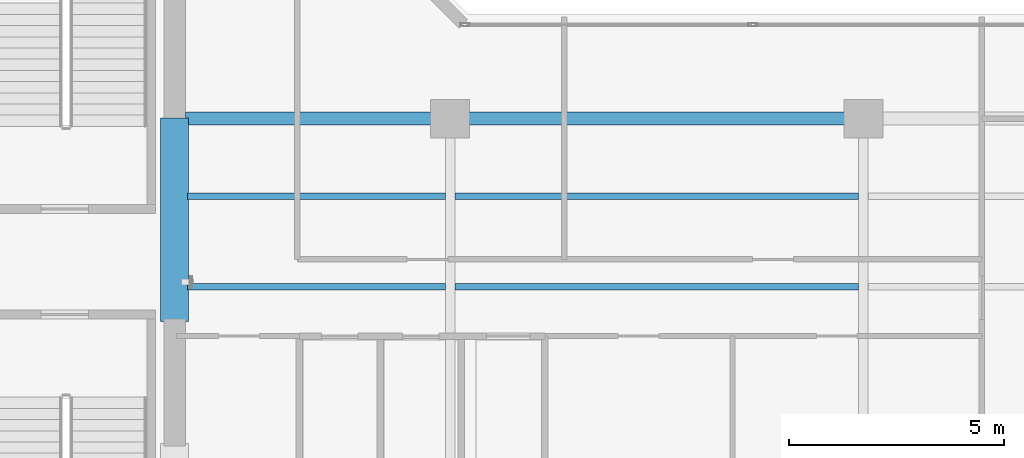
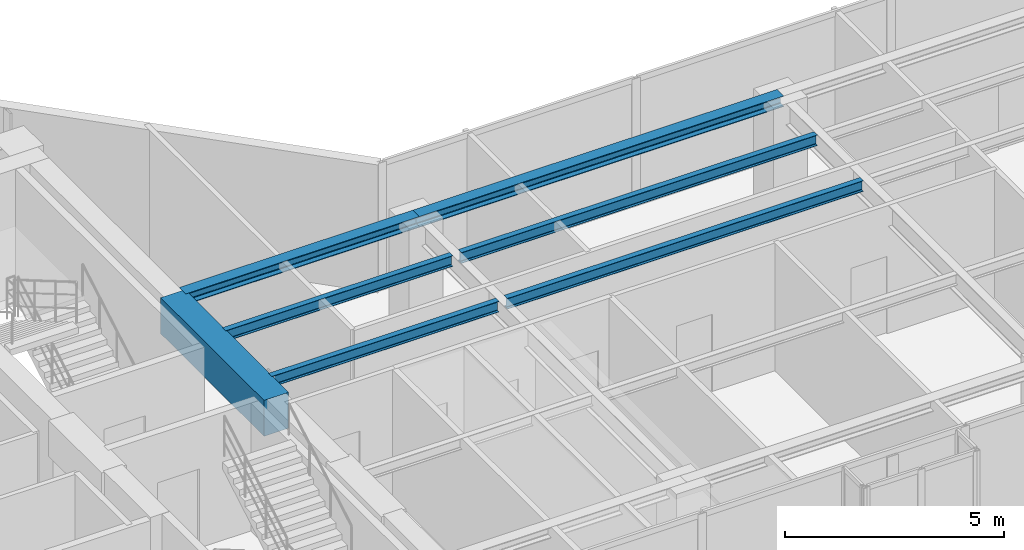
# One storey, part 6 of 22: 7 beams.
"""IFC4 building model written with IfcOpenShell, lengths in metres."""

from ifc_helpers import new_model, si_unit, direction, frame, origin, origin_2d, place, context, subcontext, project, spatial, rectangle, i_section, extrude, material, material_profile, profile_set, type_object, element, save


model = new_model("IFC4")

# Units and contexts
model_context = context("Model", 3, precision=1e-05, world=origin(), true_north=direction((0.0, 1.0)))
body_context = subcontext(model_context, "Body", "Model", "MODEL_VIEW")
ifc_project = project(units=[si_unit("LENGTHUNIT", "METRE"), si_unit("AREAUNIT", "SQUARE_METRE"), si_unit("VOLUMEUNIT", "CUBIC_METRE"), si_unit("PLANEANGLEUNIT", "RADIAN"), si_unit("MASSUNIT", "GRAM", prefix="KILO")], contexts=[model_context])

# Site, building, storey
site_placement = place(None, origin())
site = spatial("IfcSite", under=ifc_project, at=site_placement, CompositionType="ELEMENT")
building_placement = place(site_placement, origin())
building = spatial("IfcBuilding", under=site, at=building_placement, Name="Kolvaren Waterfront Exchange", CompositionType="ELEMENT")
storey_placement = place(building_placement, frame((0.0, 0.0, 327.39990234375)))
storey = spatial("IfcBuildingStorey", under=building, at=storey_placement, Name="L84", CompositionType="ELEMENT", Elevation=327.39990234375)

# Beams
ifc_material_1 = material(Name="Steel S355", Category="steel")
ifc_material_profile_1 = material_profile(ifc_material_1, i_section(OverallWidth=0.300048828125, OverallDepth=0.300048828125, WebThickness=0.010986328125, FlangeThickness=0.01904296875, FilletRadius=0.027099609375, at=origin_2d()), Name="HEB300")
ifc_profile_set_1 = profile_set([ifc_material_profile_1], Name="Steel S355")
beam_type_1 = type_object("IfcBeamType", Name="STR-BM-HEB300", PredefinedType="SPANDREL", material=ifc_profile_set_1)
beam_1_placement = place(storey_placement, frame((21.050048828125, 17.39990234375, 3.41015625), z_axis=(1.0, 0.0, 0.0), x_axis=(0.0, 1.0, 0.0)))
element("IfcBeam", 1, at=beam_1_placement, inside=storey, type_object=beam_type_1, Name="L84 east-arm spandrel N1", PredefinedType="SPANDREL", context=body_context, shape_type="SweptSolid", body=[
    extrude(i_section(OverallWidth=0.300048828125, OverallDepth=0.300048828125, WebThickness=0.010986328125, FlangeThickness=0.01904296875, FilletRadius=0.027099609375, at=origin_2d()), origin(), (0.0, 0.0, 1.0), 6.14990234375),
])
beam_2_placement = place(storey_placement, frame((27.199951171875, 17.39990234375, 3.41015625), z_axis=(1.0, 0.0, 0.0), x_axis=(0.0, 1.0, 0.0)))
element("IfcBeam", 2, at=beam_2_placement, inside=storey, type_object=beam_type_1, Name="L84 east-arm spandrel N2", PredefinedType="SPANDREL", context=body_context, shape_type="SweptSolid", body=[
    extrude(i_section(OverallWidth=0.300048828125, OverallDepth=0.300048828125, WebThickness=0.010986328125, FlangeThickness=0.01904296875, FilletRadius=0.027099609375, at=origin_2d()), origin(), (0.0, 0.0, 1.0), 9.60009765625),
])
ifc_material_profile_2 = material_profile(ifc_material_1, i_section(OverallWidth=0.14990234375, OverallDepth=0.300048828125, WebThickness=0.007080078125, FlangeThickness=0.0107421875, FilletRadius=0.014892578125, at=origin_2d()), Name="IPE300")
ifc_profile_set_2 = profile_set([ifc_material_profile_2], Name="Steel S355")
beam_type_2 = type_object("IfcBeamType", Name="STR-BM-IPE300", PredefinedType="JOIST", material=ifc_profile_set_2)
for number, where, z_axis, x_axis, name in (
    (3, (21.10009765625, 13.5, 3.41015625), (1.0, 0.0, 0.0), (0.0, 1.0, 0.0), "L84 east-arm composite joist 1A"),
    (4, (21.10009765625, 15.60009765625, 3.41015625), (1.0, 0.0, 0.0), (0.0, 1.0, 0.0), "L84 east-arm composite joist 1C"),
):
    element("IfcBeam", number, at=place(storey_placement, frame(where, z_axis=z_axis, x_axis=x_axis)), inside=storey, type_object=beam_type_2, Name=name, PredefinedType="JOIST", context=body_context, shape_type="SweptSolid", body=[
        extrude(i_section(OverallWidth=0.14990234375, OverallDepth=0.300048828125, WebThickness=0.007080078125, FlangeThickness=0.0107421875, FilletRadius=0.014892578125, at=origin_2d()), origin(), (0.0, 0.0, 1.0), 5.98779296875),
    ])
for number, where, z_axis, x_axis, name in (
    (5, (27.31201171875, 13.5, 3.41015625), (1.0, 0.0, 0.0), (0.0, 1.0, 0.0), "L84 east-arm composite joist 2A"),
    (6, (27.31201171875, 15.60009765625, 3.41015625), (1.0, 0.0, 0.0), (0.0, 1.0, 0.0), "L84 east-arm composite joist 2C"),
):
    element("IfcBeam", number, at=place(storey_placement, frame(where, z_axis=z_axis, x_axis=x_axis)), inside=storey, type_object=beam_type_2, Name=name, PredefinedType="JOIST", context=body_context, shape_type="SweptSolid", body=[
        extrude(i_section(OverallWidth=0.14990234375, OverallDepth=0.300048828125, WebThickness=0.007080078125, FlangeThickness=0.0107421875, FilletRadius=0.014892578125, at=origin_2d()), origin(), (0.0, 0.0, 1.0), 9.3759765625),
    ])
ifc_material_2 = material(Name="Concrete C60/75", Category="concrete")
ifc_material_profile_3 = material_profile(ifc_material_2, rectangle(XDim=0.64990234375, YDim=1.0, at=origin_2d()), Name="RC-CB-1000x650")
ifc_profile_set_3 = profile_set([ifc_material_profile_3], Name="Concrete C60/75")
beam_type_3 = type_object("IfcBeamType", Name="STR-CB-1000", PredefinedType="SPANDREL", material=ifc_profile_set_3)
beam_3_placement = place(storey_placement, frame((20.800048828125, 12.68994140625, 3.06005859375), z_axis=(0.0, 1.0, 0.0), x_axis=(-1.0, 0.0, 0.0)))
element("IfcBeam", 7, at=beam_3_placement, inside=storey, type_object=beam_type_3, Name="L84 core coupling beam 2", PredefinedType="SPANDREL", context=body_context, shape_type="SweptSolid", body=[
    extrude(rectangle(XDim=0.64990234375, YDim=1.0, at=origin_2d()), origin(), (0.0, 0.0, 1.0), 4.719970703125),
])

save(model, "model.ifc")
